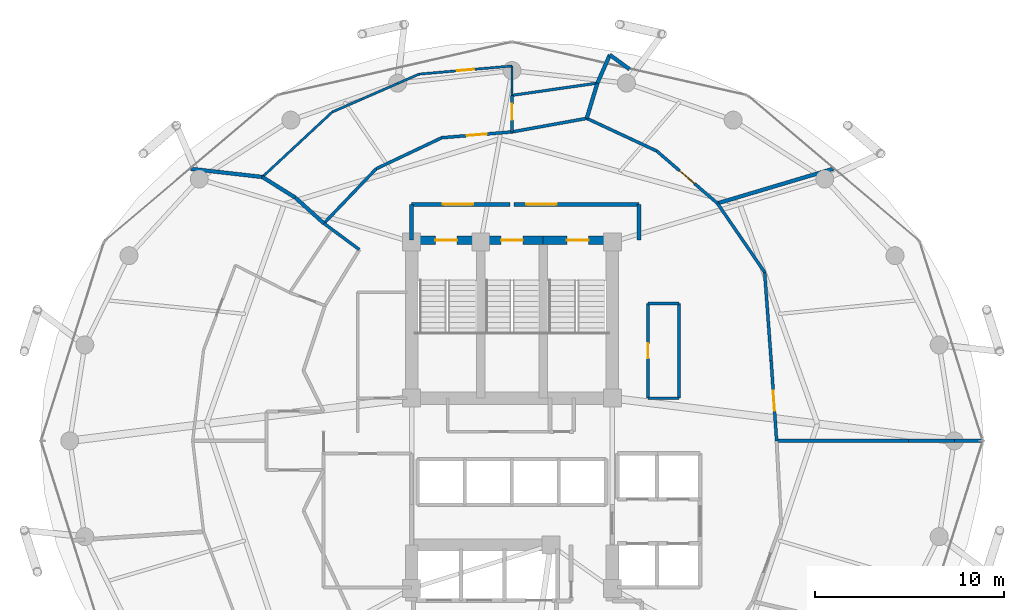
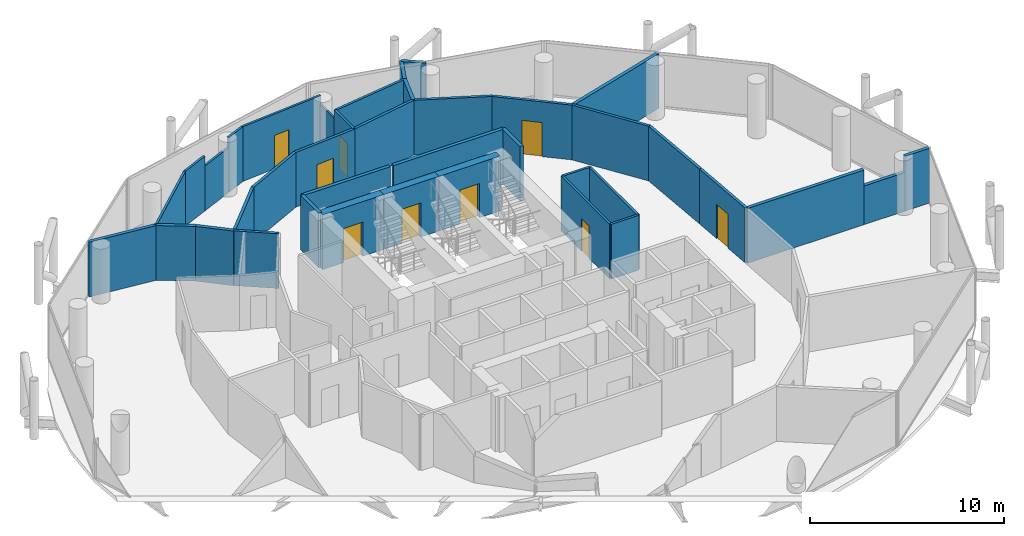
# One storey, part 24 of 27: 39 walls, 11 doors, 11 openings.
"""IFC4 building model written with IfcOpenShell, lengths in metres."""

from ifc_helpers import new_model, si_unit, direction, frame, frame_2d, origin, place, context, subcontext, project, spatial, rectangle, extrude, material, layer, layer_set, type_object, element, fill, save


model = new_model("IFC4")

# Units and contexts
model_context = context("Model", 3, precision=1e-05, world=origin(), true_north=direction((0.0, 1.0)))
body_context = subcontext(model_context, "Body", "Model", "MODEL_VIEW")
ifc_project = project(units=[si_unit("LENGTHUNIT", "METRE"), si_unit("AREAUNIT", "SQUARE_METRE"), si_unit("VOLUMEUNIT", "CUBIC_METRE"), si_unit("PLANEANGLEUNIT", "RADIAN"), si_unit("MASSUNIT", "GRAM", prefix="KILO")], contexts=[model_context])

# Site, building, storey
site_placement = place(None, origin())
site = spatial("IfcSite", under=ifc_project, at=site_placement, CompositionType="ELEMENT")
building_placement = place(site_placement, origin())
building = spatial("IfcBuilding", under=site, at=building_placement, Name="Nuhasar Tower", CompositionType="ELEMENT")
storey_placement = place(building_placement, frame((0.0, 0.0, 158.949951171875)))
storey = spatial("IfcBuildingStorey", under=building, at=storey_placement, Name="L38", CompositionType="ELEMENT", Elevation=158.949951171875)

# Wall, opening, door
ifc_material_1 = material(Name="Concrete C50/60", Category="concrete")
ifc_layer_1 = layer(ifc_material_1, 0.449951171875)
ifc_layer_set_1 = layer_set([ifc_layer_1], Name="Concrete C50/60")
wall_type_1 = type_object("IfcWallType", Name="WL-CORE-450", PredefinedType="SHEAR", material=ifc_layer_set_1)
wall_1_placement = place(storey_placement, frame((37.35009765625, 37.39990234375, 0.0), z_axis=(0.0, 0.0, 1.0), x_axis=(-1.0, 0.0, 0.0)))
wall_1 = element("IfcWall", 1, at=wall_1_placement, inside=storey, type_object=wall_type_1, Name="L38 Stairwell Shear Wall ST01-N", PredefinedType="SHEAR", context=body_context, shape_type="SweptSolid", body=[
    extrude(rectangle(XDim=3.650146484375, YDim=0.449951171875, at=frame_2d((1.8251953125, 0.0))), origin(), (0.0, 0.0, 1.0), 3.449951171875),
])
opening_1_placement = place(wall_1_placement, frame((1.25, 0.0, 0.0)))
opening_1 = element("IfcOpeningElement", 2, at=opening_1_placement, cuts=wall_1, Name="Opening DS-01", PredefinedType="OPENING", context=body_context, shape_type="SweptSolid", body=[
    extrude(rectangle(XDim=1.14990234375, YDim=2.14990234375, at=frame_2d((0.574951171875, 1.074951171875))), frame((0.0, 0.23486328125, 0.0), z_axis=(0.0, -1.0, 0.0), x_axis=(1.0, 0.0, 0.0)), (0.0, 0.0, 1.0), 0.469970703125),
])
ifc_material_2 = material(Name="Steel S355", Category="steel")
door_type_1 = type_object("IfcDoorType", Name="DR-STAIR-FD120-1150", OperationType="NOTDEFINED", PredefinedType="DOOR", material=ifc_material_2)
door_1_placement = place(opening_1_placement, origin())
door_1 = element("IfcDoor", 3, at=door_1_placement, inside=storey, type_object=door_type_1, Name="L38 Exit Stair ST-01 Door", OperationType="SINGLE_SWING_RIGHT", OverallHeight=2.14990234375, OverallWidth=1.14990234375, PredefinedType="DOOR", context=body_context, shape_type="SweptSolid", body=[
    extrude(rectangle(XDim=1.14990234375, YDim=2.14990234375, at=frame_2d((0.574951171875, 1.074951171875))), frame((0.0, 0.02490234375, 0.0), z_axis=(0.0, -1.0, 0.0), x_axis=(1.0, 0.0, 0.0)), (0.0, 0.0, 1.0), 0.050048828125),
])
fill(opening_1, door_1)

wall_2_placement = place(storey_placement, frame((40.64990234375, 37.39990234375, 0.0), z_axis=(0.0, 0.0, 1.0), x_axis=(-1.0, 0.0, 0.0)))
wall_2 = element("IfcWall", 4, at=wall_2_placement, inside=storey, type_object=wall_type_1, Name="L38 Stairwell Shear Wall ST03-N", PredefinedType="SHEAR", context=body_context, shape_type="SweptSolid", body=[
    extrude(rectangle(XDim=3.2998046875, YDim=0.449951171875, at=frame_2d((1.64990234375, 0.0))), origin(), (0.0, 0.0, 1.0), 3.449951171875),
])
opening_2_placement = place(wall_2_placement, frame((1.074951171875, 0.0, 0.0)))
opening_2 = element("IfcOpeningElement", 5, at=opening_2_placement, cuts=wall_2, Name="Opening DS-01", PredefinedType="OPENING", context=body_context, shape_type="SweptSolid", body=[
    extrude(rectangle(XDim=1.14990234375, YDim=2.14990234375, at=frame_2d((0.574951171875, 1.074951171875))), frame((0.0, 0.23486328125, 0.0), z_axis=(0.0, -1.0, 0.0), x_axis=(1.0, 0.0, 0.0)), (0.0, 0.0, 1.0), 0.469970703125),
])
door_2_placement = place(opening_2_placement, origin())
door_2 = element("IfcDoor", 6, at=door_2_placement, inside=storey, type_object=door_type_1, Name="L38 Exit Stair ST-03 Door", OperationType="SINGLE_SWING_RIGHT", OverallHeight=2.14990234375, OverallWidth=1.14990234375, PredefinedType="DOOR", context=body_context, shape_type="SweptSolid", body=[
    extrude(rectangle(XDim=1.14990234375, YDim=2.14990234375, at=frame_2d((0.574951171875, 1.074951171875))), frame((0.0, 0.02490234375, 0.0), z_axis=(0.0, -1.0, 0.0), x_axis=(1.0, 0.0, 0.0)), (0.0, 0.0, 1.0), 0.050048828125),
])
fill(opening_2, door_2)

wall_3_placement = place(storey_placement, frame((44.300048828125, 37.39990234375, 0.0), z_axis=(0.0, 0.0, 1.0), x_axis=(-1.0, 0.0, 0.0)))
wall_3 = element("IfcWall", 7, at=wall_3_placement, inside=storey, type_object=wall_type_1, Name="L38 Stairwell Shear Wall ST02-N", PredefinedType="SHEAR", context=body_context, shape_type="SweptSolid", body=[
    extrude(rectangle(XDim=3.650146484375, YDim=0.449951171875, at=frame_2d((1.8251953125, 0.0))), origin(), (0.0, 0.0, 1.0), 3.449951171875),
])
opening_3_placement = place(wall_3_placement, frame((1.25, 0.0, 0.0)))
opening_3 = element("IfcOpeningElement", 8, at=opening_3_placement, cuts=wall_3, Name="Opening DS-01", PredefinedType="OPENING", context=body_context, shape_type="SweptSolid", body=[
    extrude(rectangle(XDim=1.14990234375, YDim=2.14990234375, at=frame_2d((0.574951171875, 1.074951171875))), frame((0.0, 0.23486328125, 0.0), z_axis=(0.0, -1.0, 0.0), x_axis=(1.0, 0.0, 0.0)), (0.0, 0.0, 1.0), 0.469970703125),
])
door_3_placement = place(opening_3_placement, origin())
door_3 = element("IfcDoor", 9, at=door_3_placement, inside=storey, type_object=door_type_1, Name="L38 Exit Stair ST-02 Door", OperationType="SINGLE_SWING_LEFT", OverallHeight=2.14990234375, OverallWidth=1.14990234375, PredefinedType="DOOR", context=body_context, shape_type="SweptSolid", body=[
    extrude(rectangle(XDim=1.14990234375, YDim=2.14990234375, at=frame_2d((0.574951171875, 1.074951171875))), frame((0.0, 0.02490234375, 0.0), z_axis=(0.0, -1.0, 0.0), x_axis=(1.0, 0.0, 0.0)), (0.0, 0.0, 1.0), 0.050048828125),
])
fill(opening_3, door_3)

ifc_material_3 = material(Name="Gypsum Board", Category="gypsum")
ifc_layer_2 = layer(ifc_material_3, 0.159912109375)
ifc_layer_set_2 = layer_set([ifc_layer_2], Name="Gypsum Board")
wall_type_2 = type_object("IfcWallType", Name="WL-CORR-160", PredefinedType="PARTITIONING", material=ifc_layer_set_2)
wall_4_placement = place(storey_placement, frame((52.68310546875, 31.0380859375, 0.0), z_axis=(0.0, 0.0, 1.0), x_axis=(0.067533698234, -0.997716993743, 0.0)))
wall_4 = element("IfcWall", 10, at=wall_4_placement, inside=storey, type_object=wall_type_2, Name="L38 Interior Partition CORR-00", PredefinedType="PARTITIONING", context=body_context, shape_type="SweptSolid", body=[
    extrude(rectangle(XDim=4.247802734375, YDim=0.159912109375, at=frame_2d((2.1240234375, 0.0))), origin(), (0.0, 0.0, 1.0), 3.449951171875),
])
opening_4_placement = place(wall_4_placement, frame((1.59912109375, 0.0, 0.0)))
opening_4 = element("IfcOpeningElement", 11, at=opening_4_placement, cuts=wall_4, Name="Opening DU-01", PredefinedType="OPENING", context=body_context, shape_type="SweptSolid", body=[
    extrude(rectangle(XDim=1.050048828125, YDim=2.14990234375, at=frame_2d((0.52490234375, 1.074951171875))), frame((0.0, 0.08984375, 0.0), z_axis=(0.0, -1.0, 0.0), x_axis=(1.0, 0.0, 0.0)), (0.0, 0.0, 1.0), 0.179931640625),
])
ifc_material_4 = material(Name="Timber Oak", Category="wood")
door_type_2 = type_object("IfcDoorType", Name="DR-SUITE-FD60-1050", OperationType="NOTDEFINED", PredefinedType="DOOR", material=ifc_material_4)
door_4_placement = place(opening_4_placement, origin())
door_4 = element("IfcDoor", 12, at=door_4_placement, inside=storey, type_object=door_type_2, Name="L38 Sky Yoga & Pilates Studio Entrance Door", OperationType="SINGLE_SWING_LEFT", OverallHeight=2.14990234375, OverallWidth=1.050048828125, PredefinedType="DOOR", context=body_context, shape_type="SweptSolid", body=[
    extrude(rectangle(XDim=1.050048828125, YDim=2.14990234375, at=frame_2d((0.52490234375, 1.074951171875))), frame((0.0, 0.02490234375, 0.0), z_axis=(0.0, -1.0, 0.0), x_axis=(1.0, 0.0, 0.0)), (0.0, 0.0, 1.0), 0.050048828125),
])
fill(opening_4, door_4)

# Walls
wall_5_placement = place(storey_placement, frame((52.68310546875, 31.0380859375, 0.0), z_axis=(0.0, 0.0, 1.0), x_axis=(-0.073833218119, 0.997270603148, 0.0)))
element("IfcWall", 13, at=wall_5_placement, inside=storey, type_object=wall_type_2, Name="L38 Interior Partition CORR-02", PredefinedType="PARTITIONING", context=body_context, shape_type="SweptSolid", body=[
    extrude(rectangle(XDim=4.675537109375, YDim=0.159912109375, at=frame_2d((2.337890625, 0.0))), origin(), (0.0, 0.0, 1.0), 3.449951171875),
])
wall_6_placement = place(storey_placement, frame((52.337890625, 35.700927734375, 0.0), z_axis=(0.0, 0.0, 1.0), x_axis=(-0.565072996938, 0.825040913005, 0.0)))
element("IfcWall", 14, at=wall_6_placement, inside=storey, type_object=wall_type_2, Name="L38 Interior Partition CORR-04", PredefinedType="PARTITIONING", context=body_context, shape_type="SweptSolid", body=[
    extrude(rectangle(XDim=4.408203125, YDim=0.159912109375, at=frame_2d((2.2041015625, 0.0))), origin(), (0.0, 0.0, 1.0), 3.449951171875),
])

# Wall, opening, door
wall_7_placement = place(storey_placement, frame((46.64208984375, 42.10107421875, 0.0), z_axis=(0.0, 0.0, 1.0), x_axis=(0.757363717031, -0.65299326193, 0.0)))
wall_7 = element("IfcWall", 15, at=wall_7_placement, inside=storey, type_object=wall_type_2, Name="L38 Interior Partition CORR-06", PredefinedType="PARTITIONING", context=body_context, shape_type="SweptSolid", body=[
    extrude(rectangle(XDim=4.2314453125, YDim=0.159912109375, at=frame_2d((2.11572265625, 0.0))), origin(), (0.0, 0.0, 1.0), 3.449951171875),
])
opening_5_placement = place(wall_7_placement, frame((1.591064453125, 0.0, 0.0)))
opening_5 = element("IfcOpeningElement", 16, at=opening_5_placement, cuts=wall_7, Name="Opening DU-01", PredefinedType="OPENING", context=body_context, shape_type="SweptSolid", body=[
    extrude(rectangle(XDim=1.050048828125, YDim=2.14990234375, at=frame_2d((0.52490234375, 1.074951171875))), frame((0.0, 0.08984375, 0.0), z_axis=(0.0, -1.0, 0.0), x_axis=(1.0, 0.0, 0.0)), (0.0, 0.0, 1.0), 0.179931640625),
])
door_5_placement = place(opening_5_placement, origin())
door_5 = element("IfcDoor", 17, at=door_5_placement, inside=storey, type_object=door_type_2, Name="L38 Botanical Juice Pantry Entrance Door", OperationType="SINGLE_SWING_RIGHT", OverallHeight=2.14990234375, OverallWidth=1.050048828125, PredefinedType="DOOR", context=body_context, shape_type="SweptSolid", body=[
    extrude(rectangle(XDim=1.050048828125, YDim=2.14990234375, at=frame_2d((0.52490234375, 1.074951171875))), frame((0.0, 0.02490234375, 0.0), z_axis=(0.0, -1.0, 0.0), x_axis=(1.0, 0.0, 0.0)), (0.0, 0.0, 1.0), 0.050048828125),
])
fill(opening_5, door_5)

# Walls
wall_8_placement = place(storey_placement, frame((46.64208984375, 42.10107421875, 0.0), z_axis=(0.0, 0.0, 1.0), x_axis=(-0.906271822744, 0.422695378849, 0.0)))
element("IfcWall", 18, at=wall_8_placement, inside=storey, type_object=wall_type_2, Name="L38 Interior Partition CORR-08", PredefinedType="PARTITIONING", context=body_context, shape_type="SweptSolid", body=[
    extrude(rectangle(XDim=4.078369140625, YDim=0.159912109375, at=frame_2d((2.0390625, 0.0))), origin(), (0.0, 0.0, 1.0), 3.449951171875),
])
wall_9_placement = place(storey_placement, frame((42.946044921875, 43.824951171875, 0.0), z_axis=(0.0, 0.0, 1.0), x_axis=(-0.983984646252, -0.178253235428, 0.0)))
element("IfcWall", 19, at=wall_9_placement, inside=storey, type_object=wall_type_2, Name="L38 Interior Partition CORR-10", PredefinedType="PARTITIONING", context=body_context, shape_type="SweptSolid", body=[
    extrude(rectangle(XDim=4.01025390625, YDim=0.159912109375, at=frame_2d((2.005126953125, 0.0))), origin(), (0.0, 0.0, 1.0), 3.449951171875),
])

# Wall, opening, door
wall_10_placement = place(storey_placement, frame((35.291015625, 42.802001953125, 0.0), z_axis=(0.0, 0.0, 1.0), x_axis=(0.996567439433, 0.082784893929, 0.0)))
wall_10 = element("IfcWall", 20, at=wall_10_placement, inside=storey, type_object=wall_type_2, Name="L38 Interior Partition CORR-12", PredefinedType="PARTITIONING", context=body_context, shape_type="SweptSolid", body=[
    extrude(rectangle(XDim=3.7216796875, YDim=0.159912109375, at=frame_2d((1.86083984375, 0.0))), origin(), (0.0, 0.0, 1.0), 3.449951171875),
])
opening_6_placement = place(wall_10_placement, frame((1.3359375, 0.0, 0.0)))
opening_6 = element("IfcOpeningElement", 21, at=opening_6_placement, cuts=wall_10, Name="Opening DU-01", PredefinedType="OPENING", context=body_context, shape_type="SweptSolid", body=[
    extrude(rectangle(XDim=1.050048828125, YDim=2.14990234375, at=frame_2d((0.52490234375, 1.074951171875))), frame((0.0, 0.08984375, 0.0), z_axis=(0.0, -1.0, 0.0), x_axis=(1.0, 0.0, 0.0)), (0.0, 0.0, 1.0), 0.179931640625),
])
door_6_placement = place(opening_6_placement, origin())
door_6 = element("IfcDoor", 22, at=door_6_placement, inside=storey, type_object=door_type_2, Name="L38 Thermal Sanctuary Suite 02 Entrance Door", OperationType="SINGLE_SWING_LEFT", OverallHeight=2.14990234375, OverallWidth=1.050048828125, PredefinedType="DOOR", context=body_context, shape_type="SweptSolid", body=[
    extrude(rectangle(XDim=1.050048828125, YDim=2.14990234375, at=frame_2d((0.52490234375, 1.074951171875))), frame((0.0, 0.02490234375, 0.0), z_axis=(0.0, -1.0, 0.0), x_axis=(1.0, 0.0, 0.0)), (0.0, 0.0, 1.0), 0.050048828125),
])
fill(opening_6, door_6)

# Walls
wall_11_placement = place(storey_placement, frame((35.291015625, 42.802001953125, 0.0), z_axis=(0.0, 0.0, 1.0), x_axis=(-0.903715790708, -0.42813288781, 0.0)))
element("IfcWall", 23, at=wall_11_placement, inside=storey, type_object=wall_type_2, Name="L38 Interior Partition CORR-14", PredefinedType="PARTITIONING", context=body_context, shape_type="SweptSolid", body=[
    extrude(rectangle(XDim=3.833251953125, YDim=0.159912109375, at=frame_2d((1.91650390625, 0.0))), origin(), (0.0, 0.0, 1.0), 3.449951171875),
])
wall_12_placement = place(storey_placement, frame((31.826904296875, 41.160888671875, 0.0), z_axis=(0.0, 0.0, 1.0), x_axis=(-0.691511696296, -0.722365263482, 0.0)))
element("IfcWall", 24, at=wall_12_placement, inside=storey, type_object=wall_type_2, Name="L38 Interior Partition CORR-16", PredefinedType="PARTITIONING", context=body_context, shape_type="SweptSolid", body=[
    extrude(rectangle(XDim=3.988037109375, YDim=0.159912109375, at=frame_2d((1.994140625, 0.0))), origin(), (0.0, 0.0, 1.0), 3.449951171875),
])
wall_13_placement = place(storey_placement, frame((30.93896484375, 36.89697265625, 0.0), z_axis=(0.0, 0.0, 1.0), x_axis=(-0.803975392498, 0.594662566719, 0.0)))
element("IfcWall", 25, at=wall_13_placement, inside=storey, type_object=wall_type_2, Name="L38 Interior Partition HRAD-18-IN", PredefinedType="PARTITIONING", context=body_context, shape_type="SweptSolid", body=[
    extrude(rectangle(XDim=2.32568359375, YDim=0.159912109375, at=frame_2d((1.162841796875, 0.0))), origin(), (0.0, 0.0, 1.0), 3.449951171875),
])
ifc_material_5 = material(Name="Concrete C45/55", Category="concrete")
ifc_layer_3 = layer(ifc_material_5, 0.199951171875)
ifc_layer_set_3 = layer_set([ifc_layer_3], Name="Concrete C45/55")
wall_type_3 = type_object("IfcWallType", Name="WL-LOBBY-200", PredefinedType="SOLIDWALL", material=ifc_layer_set_3)
for number, where, z_axis, x_axis, name in (
    (26, (33.699951171875, 37.39990234375, 0.0), (0.0, 0.0, 1.0), (0.0, 1.0, 0.0), "L38 Interior Partition NSL-W"),
    (27, (45.699951171875, 37.39990234375, 0.0), (0.0, 0.0, 1.0), (0.0, 1.0, 0.0), "L38 Interior Partition NSL-E"),
):
    element("IfcWall", number, at=place(storey_placement, frame(where, z_axis=z_axis, x_axis=x_axis)), inside=storey, type_object=wall_type_3, Name=name, PredefinedType="SOLIDWALL", context=body_context, shape_type="SweptSolid", body=[
        extrude(rectangle(XDim=1.880126953125, YDim=0.199951171875, at=frame_2d((0.93994140625, 0.0))), origin(), (0.0, 0.0, 1.0), 3.449951171875),
    ])

# Wall, opening, door
wall_14_placement = place(storey_placement, frame((38.89990234375, 39.280029296875, 0.0), z_axis=(0.0, 0.0, 1.0), x_axis=(-1.0, 0.0, 0.0)))
wall_14 = element("IfcWall", 28, at=wall_14_placement, inside=storey, type_object=wall_type_3, Name="L38 Interior Partition NSL-N1", PredefinedType="SOLIDWALL", context=body_context, shape_type="SweptSolid", body=[
    extrude(rectangle(XDim=5.199951171875, YDim=0.199951171875, at=frame_2d((2.60009765625, 0.0))), origin(), (0.0, 0.0, 1.0), 3.449951171875),
])
opening_7_placement = place(wall_14_placement, frame((1.949951171875, 0.0, 0.0)))
opening_7 = element("IfcOpeningElement", 29, at=opening_7_placement, cuts=wall_14, Name="Opening DC-01", PredefinedType="OPENING", context=body_context, shape_type="SweptSolid", body=[
    extrude(rectangle(XDim=1.60009765625, YDim=2.199951171875, at=frame_2d((0.800048828125, 1.10009765625))), frame((0.0, 0.10986328125, 0.0), z_axis=(0.0, -1.0, 0.0), x_axis=(1.0, 0.0, 0.0)), (0.0, 0.0, 1.0), 0.219970703125),
])
door_type_3 = type_object("IfcDoorType", Name="DR-CORR-FD60-1600", OperationType="DOUBLE_DOOR_SINGLE_SWING", PredefinedType="DOOR", material=ifc_material_2)
door_7_placement = place(opening_7_placement, origin())
door_7 = element("IfcDoor", 30, at=door_7_placement, inside=storey, type_object=door_type_3, Name="L38 North Stair Lobby West Door", OperationType="DOUBLE_DOOR_SINGLE_SWING", OverallHeight=2.199951171875, OverallWidth=1.60009765625, PredefinedType="DOOR", context=body_context, shape_type="SweptSolid", body=[
    extrude(rectangle(XDim=1.60009765625, YDim=2.199951171875, at=frame_2d((0.800048828125, 1.10009765625))), frame((0.0, 0.02490234375, 0.0), z_axis=(0.0, -1.0, 0.0), x_axis=(1.0, 0.0, 0.0)), (0.0, 0.0, 1.0), 0.050048828125),
])
fill(opening_7, door_7)

wall_15_placement = place(storey_placement, frame((45.699951171875, 39.280029296875, 0.0), z_axis=(0.0, 0.0, 1.0), x_axis=(-1.0, 0.0, 0.0)))
wall_15 = element("IfcWall", 31, at=wall_15_placement, inside=storey, type_object=wall_type_3, Name="L38 Interior Partition NSL-N2", PredefinedType="SOLIDWALL", context=body_context, shape_type="SweptSolid", body=[
    extrude(rectangle(XDim=6.599853515625, YDim=0.199951171875, at=frame_2d((3.2998046875, 0.0))), origin(), (0.0, 0.0, 1.0), 3.449951171875),
])
opening_8_placement = place(wall_15_placement, frame((4.35009765625, 0.0, 0.0)))
opening_8 = element("IfcOpeningElement", 32, at=opening_8_placement, cuts=wall_15, Name="Opening DC-01", PredefinedType="OPENING", context=body_context, shape_type="SweptSolid", body=[
    extrude(rectangle(XDim=1.60009765625, YDim=2.199951171875, at=frame_2d((0.800048828125, 1.10009765625))), frame((0.0, 0.10986328125, 0.0), z_axis=(0.0, -1.0, 0.0), x_axis=(1.0, 0.0, 0.0)), (0.0, 0.0, 1.0), 0.219970703125),
])
door_8_placement = place(opening_8_placement, origin())
door_8 = element("IfcDoor", 33, at=door_8_placement, inside=storey, type_object=door_type_3, Name="L38 North Stair Lobby East Door", OperationType="DOUBLE_DOOR_SINGLE_SWING", OverallHeight=2.199951171875, OverallWidth=1.60009765625, PredefinedType="DOOR", context=body_context, shape_type="SweptSolid", body=[
    extrude(rectangle(XDim=1.60009765625, YDim=2.199951171875, at=frame_2d((0.800048828125, 1.10009765625))), frame((0.0, 0.02490234375, 0.0), z_axis=(0.0, -1.0, 0.0), x_axis=(1.0, 0.0, 0.0)), (0.0, 0.0, 1.0), 0.050048828125),
])
fill(opening_8, door_8)

# Wall
ifc_layer_4 = layer(ifc_material_3, 0.125)
ifc_layer_set_4 = layer_set([ifc_layer_4], Name="Gypsum Board")
wall_type_4 = type_object("IfcWallType", Name="WL-PART-125", PredefinedType="PARTITIONING", material=ifc_layer_set_4)
wall_16_placement = place(storey_placement, frame((39.0, 45.0400390625, 0.0), z_axis=(0.0, 0.0, 1.0), x_axis=(0.0, 1.0, 0.0)))
element("IfcWall", 34, at=wall_16_placement, inside=storey, type_object=wall_type_4, Name="L38 Interior Partition HBS-06", PredefinedType="PARTITIONING", context=body_context, shape_type="SweptSolid", body=[
    extrude(rectangle(XDim=1.550048828125, YDim=0.125, at=frame_2d((0.77490234375, 0.0))), origin(), (0.0, 0.0, 1.0), 2.9150390625),
])

# Wall, opening, door
wall_17_placement = place(storey_placement, frame((34.092041015625, 46.159912109375, 0.0), z_axis=(0.0, 0.0, 1.0), x_axis=(0.996180851402, 0.087313866596, 0.0)))
wall_17 = element("IfcWall", 35, at=wall_17_placement, inside=storey, type_object=wall_type_4, Name="L38 Interior Partition HSAL-06-12", PredefinedType="PARTITIONING", context=body_context, shape_type="SweptSolid", body=[
    extrude(rectangle(XDim=4.9267578125, YDim=0.125, at=frame_2d((2.46337890625, 0.0))), origin(), (0.0, 0.0, 1.0), 3.449951171875),
])
opening_9_placement = place(wall_17_placement, frame((2.012939453125, 0.0, 0.0)))
opening_9 = element("IfcOpeningElement", 36, at=opening_9_placement, cuts=wall_17, Name="Opening DR-01", PredefinedType="OPENING", context=body_context, shape_type="SweptSolid", body=[
    extrude(rectangle(XDim=0.89990234375, YDim=2.10009765625, at=frame_2d((0.449951171875, 1.050048828125))), frame((0.0, 0.072509765625, 0.0), z_axis=(0.0, -1.0, 0.0), x_axis=(1.0, 0.0, 0.0)), (0.0, 0.0, 1.0), 0.14501953125),
])
door_type_4 = type_object("IfcDoorType", Name="DR-ROOM-900", OperationType="NOTDEFINED", PredefinedType="DOOR", material=ifc_material_4)
door_9_placement = place(opening_9_placement, origin())
door_9 = element("IfcDoor", 37, at=door_9_placement, inside=storey, type_object=door_type_4, Name="L38 Thermal Sanctuary Suite 02 Bedroom Door", OperationType="SINGLE_SWING_RIGHT", OverallHeight=2.10009765625, OverallWidth=0.89990234375, PredefinedType="DOOR", context=body_context, shape_type="SweptSolid", body=[
    extrude(rectangle(XDim=0.89990234375, YDim=2.10009765625, at=frame_2d((0.449951171875, 1.050048828125))), frame((0.0, 0.02490234375, 0.0), z_axis=(0.0, -1.0, 0.0), x_axis=(1.0, 0.0, 0.0)), (0.0, 0.0, 1.0), 0.050048828125),
])
fill(opening_9, door_9)

# Walls
wall_18_placement = place(storey_placement, frame((34.092041015625, 46.159912109375, 0.0), z_axis=(0.0, 0.0, 1.0), x_axis=(-0.916522144476, -0.399983948034, 0.0)))
element("IfcWall", 38, at=wall_18_placement, inside=storey, type_object=wall_type_4, Name="L38 Interior Partition HSAL-06-14", PredefinedType="PARTITIONING", context=body_context, shape_type="SweptSolid", body=[
    extrude(rectangle(XDim=1.2275390625, YDim=0.125, at=frame_2d((0.61376953125, 0.0))), origin(), (0.0, 0.0, 1.0), 3.449951171875),
])
wall_19_placement = place(storey_placement, frame((32.967041015625, 45.6689453125, 0.0), z_axis=(0.0, 0.0, 1.0), x_axis=(-0.916639359056, -0.399715255438, 0.0)))
element("IfcWall", 39, at=wall_19_placement, inside=storey, type_object=wall_type_4, Name="L38 Interior Partition HSAL-06-14", PredefinedType="PARTITIONING", context=body_context, shape_type="SweptSolid", body=[
    extrude(rectangle(XDim=2.06640625, YDim=0.125, at=frame_2d((1.033203125, 0.0))), origin(), (0.0, 0.0, 1.0), 2.830078125),
])
wall_20_placement = place(storey_placement, frame((31.072998046875, 44.843017578125, 0.0), z_axis=(0.0, 0.0, 1.0), x_axis=(-0.916624498979, -0.399749331296, 0.0)))
element("IfcWall", 40, at=wall_20_placement, inside=storey, type_object=wall_type_4, Name="L38 Interior Partition HSAL-06-14", PredefinedType="PARTITIONING", context=body_context, shape_type="SweptSolid", body=[
    extrude(rectangle(XDim=1.700927734375, YDim=0.125, at=frame_2d((0.8505859375, 0.0))), origin(), (0.0, 0.0, 1.0), 3.449951171875),
])
wall_21_placement = place(storey_placement, frame((29.513916015625, 44.1630859375, 0.0), z_axis=(0.0, 0.0, 1.0), x_axis=(-0.73247967819, -0.68078889609, 0.0)))
element("IfcWall", 41, at=wall_21_placement, inside=storey, type_object=wall_type_4, Name="L38 Interior Partition HSAL-06-16", PredefinedType="PARTITIONING", context=body_context, shape_type="SweptSolid", body=[
    extrude(rectangle(XDim=5.044189453125, YDim=0.125, at=frame_2d((2.52197265625, 0.0))), origin(), (0.0, 0.0, 1.0), 3.449951171875),
])
ifc_material_6 = material(Name="Concrete C40/50 precast", Category="concrete")
ifc_layer_5 = layer(ifc_material_6, 0.199951171875)
ifc_layer_set_5 = layer_set([ifc_layer_5], Name="Concrete C40/50 precast")
wall_type_5 = type_object("IfcWallType", Name="WL-UNIT-200", PredefinedType="PARTITIONING", material=ifc_layer_set_5)
wall_22_placement = place(storey_placement, frame((29.069091796875, 38.280029296875, 0.0), z_axis=(0.0, 0.0, 1.0), x_axis=(-0.743085021135, 0.669197019842, 0.0)))
element("IfcWall", 42, at=wall_22_placement, inside=storey, type_object=wall_type_5, Name="L38 Interior Partition HRAD-18-OUT-S1", PredefinedType="PARTITIONING", context=body_context, shape_type="SweptSolid", body=[
    extrude(rectangle(XDim=2.031982421875, YDim=0.199951171875, at=frame_2d((1.01611328125, 0.0))), origin(), (0.0, 0.0, 1.0), 3.449951171875),
])
wall_23_placement = place(storey_placement, frame((27.55908203125, 39.639892578125, 0.0), z_axis=(0.0, 0.0, 1.0), x_axis=(-0.847643984813, 0.530565429529, 0.0)))
element("IfcWall", 43, at=wall_23_placement, inside=storey, type_object=wall_type_5, Name="L38 Interior Partition HRAD-18-OUT-S2", PredefinedType="PARTITIONING", context=body_context, shape_type="SweptSolid", body=[
    extrude(rectangle(XDim=2.052734375, YDim=0.199951171875, at=frame_2d((1.0263671875, 0.0))), origin(), (0.0, 0.0, 1.0), 3.449951171875),
])
wall_24_placement = place(storey_placement, frame((25.819091796875, 40.72900390625, 0.0), z_axis=(0.0, 0.0, 1.0), x_axis=(-0.993548609686, 0.113407055299, 0.0)))
element("IfcWall", 44, at=wall_24_placement, inside=storey, type_object=wall_type_5, Name="L38 Interior Partition HRAD-18-OUT-S3", PredefinedType="PARTITIONING", context=body_context, shape_type="SweptSolid", body=[
    extrude(rectangle(XDim=3.799560546875, YDim=0.199951171875, at=frame_2d((1.89990234375, 0.0))), origin(), (0.0, 0.0, 1.0), 3.449951171875),
])
wall_25_placement = place(storey_placement, frame((52.969970703125, 26.800048828125, 0.0), z_axis=(0.0, 0.0, 1.0), x_axis=(1.0, 0.0, 0.0)))
element("IfcWall", 45, at=wall_25_placement, inside=storey, type_object=wall_type_5, Name="L38 Interior Partition HRAD-00", PredefinedType="PARTITIONING", context=body_context, shape_type="SweptSolid", body=[
    extrude(rectangle(XDim=6.95703125, YDim=0.199951171875, at=frame_2d((3.478515625, 0.0))), origin(), (0.0, 0.0, 1.0), 3.449951171875),
])
wall_26_placement = place(storey_placement, frame((59.927001953125, 26.800048828125, 0.0), z_axis=(0.0, 0.0, 1.0), x_axis=(1.0, 0.0, 0.0)))
element("IfcWall", 46, at=wall_26_placement, inside=storey, type_object=wall_type_5, Name="L38 Interior Partition HRAD-00", PredefinedType="PARTITIONING", context=body_context, shape_type="SweptSolid", body=[
    extrude(rectangle(XDim=2.43505859375, YDim=0.199951171875, at=frame_2d((1.217529296875, 0.0))), origin(), (0.0, 0.0, 1.0), 2.43994140625),
])
wall_27_placement = place(storey_placement, frame((62.362060546875, 26.800048828125, 0.0), z_axis=(0.0, 0.0, 1.0), x_axis=(1.0, 0.0, 0.0)))
element("IfcWall", 47, at=wall_27_placement, inside=storey, type_object=wall_type_5, Name="L38 Interior Partition HRAD-00", PredefinedType="PARTITIONING", context=body_context, shape_type="SweptSolid", body=[
    extrude(rectangle(XDim=1.462890625, YDim=0.199951171875, at=frame_2d((0.7314453125, 0.0))), origin(), (0.0, 0.0, 1.0), 3.449951171875),
])
wall_28_placement = place(storey_placement, frame((49.846923828125, 39.337890625, 0.0), z_axis=(0.0, 0.0, 1.0), x_axis=(0.958287760773, 0.285805121634, 0.0)))
element("IfcWall", 48, at=wall_28_placement, inside=storey, type_object=wall_type_5, Name="L38 Interior Partition HRAD-06", PredefinedType="PARTITIONING", context=body_context, shape_type="SweptSolid", body=[
    extrude(rectangle(XDim=6.375, YDim=0.199951171875, at=frame_2d((3.1875, 0.0))), origin(), (0.0, 0.0, 1.0), 3.449951171875),
])
wall_29_placement = place(storey_placement, frame((42.946044921875, 43.824951171875, 0.0), z_axis=(0.0, 0.0, 1.0), x_axis=(0.289087109565, 0.957302795924, 0.0)))
element("IfcWall", 49, at=wall_29_placement, inside=storey, type_object=wall_type_5, Name="L38 Interior Partition HRAD-10-S1", PredefinedType="PARTITIONING", context=body_context, shape_type="SweptSolid", body=[
    extrude(rectangle(XDim=1.944091796875, YDim=0.199951171875, at=frame_2d((0.97216796875, 0.0))), origin(), (0.0, 0.0, 1.0), 3.449951171875),
])
wall_30_placement = place(storey_placement, frame((43.508056640625, 45.68603515625, 0.0), z_axis=(0.0, 0.0, 1.0), x_axis=(0.40373241072, 0.914877117724, 0.0)))
element("IfcWall", 50, at=wall_30_placement, inside=storey, type_object=wall_type_5, Name="L38 Interior Partition HRAD-10-S2", PredefinedType="PARTITIONING", context=body_context, shape_type="SweptSolid", body=[
    extrude(rectangle(XDim=1.629638671875, YDim=0.199951171875, at=frame_2d((0.81494140625, 0.0))), origin(), (0.0, 0.0, 1.0), 3.449951171875),
])
wall_31_placement = place(storey_placement, frame((44.166015625, 47.177001953125, 0.0), z_axis=(0.0, 0.0, 1.0), x_axis=(0.807036931604, -0.590500966153, 0.0)))
element("IfcWall", 51, at=wall_31_placement, inside=storey, type_object=wall_type_5, Name="L38 Interior Partition HRAD-10-S3", PredefinedType="PARTITIONING", context=body_context, shape_type="SweptSolid", body=[
    extrude(rectangle(XDim=1.288818359375, YDim=0.199951171875, at=frame_2d((0.64453125, 0.0))), origin(), (0.0, 0.0, 1.0), 3.449951171875),
])

# Wall, opening, door
ifc_layer_6 = layer(ifc_material_6, 0.139892578125)
ifc_layer_set_6 = layer_set([ifc_layer_6], Name="Concrete C40/50 precast")
wall_type_6 = type_object("IfcWallType", Name="WL-WET-140", PredefinedType="PARTITIONING", material=ifc_layer_set_6)
wall_32_placement = place(storey_placement, frame((46.179931640625, 34.050048828125, 0.0), z_axis=(0.0, 0.0, 1.0), x_axis=(0.0, -1.0, 0.0)))
wall_32 = element("IfcWall", 52, at=wall_32_placement, inside=storey, type_object=wall_type_6, Name="L38 Interior Partition K3-NE-W", PredefinedType="PARTITIONING", context=body_context, shape_type="SweptSolid", body=[
    extrude(rectangle(XDim=5.0, YDim=0.139892578125, at=frame_2d((2.5, 0.0))), origin(), (0.0, 0.0, 1.0), 3.449951171875),
])
opening_10_placement = place(wall_32_placement, frame((2.10009765625, 0.0, 0.0)))
opening_10 = element("IfcOpeningElement", 53, at=opening_10_placement, cuts=wall_32, Name="Opening DM-01", PredefinedType="OPENING", context=body_context, shape_type="SweptSolid", body=[
    extrude(rectangle(XDim=0.800048828125, YDim=2.050048828125, at=frame_2d((0.39990234375, 1.02490234375))), frame((0.0, 0.080078125, 0.0), z_axis=(0.0, -1.0, 0.0), x_axis=(1.0, 0.0, 0.0)), (0.0, 0.0, 1.0), 0.159912109375),
])
door_type_5 = type_object("IfcDoorType", Name="DR-RISER-FD60-800", OperationType="NOTDEFINED", PredefinedType="DOOR", material=ifc_material_2)
door_10_placement = place(opening_10_placement, origin())
door_10 = element("IfcDoor", 54, at=door_10_placement, inside=storey, type_object=door_type_5, Name="L38 NE Switchgear Room Door", OperationType="SINGLE_SWING_RIGHT", OverallHeight=2.050048828125, OverallWidth=0.800048828125, PredefinedType="DOOR", context=body_context, shape_type="SweptSolid", body=[
    extrude(rectangle(XDim=0.800048828125, YDim=2.050048828125, at=frame_2d((0.39990234375, 1.02490234375))), frame((0.0, 0.02490234375, 0.0), z_axis=(0.0, -1.0, 0.0), x_axis=(1.0, 0.0, 0.0)), (0.0, 0.0, 1.0), 0.050048828125),
])
fill(opening_10, door_10)

# Walls
for number, where, z_axis, x_axis, name in (
    (55, (46.179931640625, 29.050048828125, 0.0), (0.0, 0.0, 1.0), (1.0, 0.0, 0.0), "L38 Interior Partition K3-NE-S"),
    (56, (46.179931640625, 34.050048828125, 0.0), (0.0, 0.0, 1.0), (1.0, 0.0, 0.0), "L38 Interior Partition K3-NE-N"),
):
    element("IfcWall", number, at=place(storey_placement, frame(where, z_axis=z_axis, x_axis=x_axis)), inside=storey, type_object=wall_type_6, Name=name, PredefinedType="PARTITIONING", context=body_context, shape_type="SweptSolid", body=[
        extrude(rectangle(XDim=1.64013671875, YDim=0.139892578125, at=frame_2d((0.820068359375, 0.0))), origin(), (0.0, 0.0, 1.0), 3.449951171875),
    ])
wall_33_placement = place(storey_placement, frame((47.820068359375, 29.050048828125, 0.0), z_axis=(0.0, 0.0, 1.0), x_axis=(0.0, 1.0, 0.0)))
element("IfcWall", 57, at=wall_33_placement, inside=storey, type_object=wall_type_6, Name="L38 Interior Partition K3-NE-E", PredefinedType="PARTITIONING", context=body_context, shape_type="SweptSolid", body=[
    extrude(rectangle(XDim=5.0, YDim=0.139892578125, at=frame_2d((2.5, 0.0))), origin(), (0.0, 0.0, 1.0), 3.449951171875),
])

# Wall, opening, door
wall_34_placement = place(storey_placement, frame((39.0, 43.110107421875, 0.0), z_axis=(0.0, 0.0, 1.0), x_axis=(0.0, 1.0, 0.0)))
wall_34 = element("IfcWall", 58, at=wall_34_placement, inside=storey, type_object=wall_type_6, Name="L38 Interior Partition HBW-06", PredefinedType="PARTITIONING", context=body_context, shape_type="SweptSolid", body=[
    extrude(rectangle(XDim=1.929931640625, YDim=0.139892578125, at=frame_2d((0.96484375, 0.0))), origin(), (0.0, 0.0, 1.0), 3.449951171875),
])
opening_11_placement = place(wall_34_placement, frame((0.635986328125, 0.0, 0.0)))
opening_11 = element("IfcOpeningElement", 59, at=opening_11_placement, cuts=wall_34, Name="Opening DB-01", PredefinedType="OPENING", context=body_context, shape_type="SweptSolid", body=[
    extrude(rectangle(XDim=0.85009765625, YDim=2.10009765625, at=frame_2d((0.425048828125, 1.050048828125))), frame((0.0, 0.080078125, 0.0), z_axis=(0.0, -1.0, 0.0), x_axis=(1.0, 0.0, 0.0)), (0.0, 0.0, 1.0), 0.159912109375),
])
door_type_6 = type_object("IfcDoorType", Name="DR-BATH-850", OperationType="NOTDEFINED", PredefinedType="DOOR", material=ifc_material_4)
door_11_placement = place(opening_11_placement, origin())
door_11 = element("IfcDoor", 60, at=door_11_placement, inside=storey, type_object=door_type_6, Name="L38 Thermal Sanctuary Suite 02 En-Suite Door", OperationType="SINGLE_SWING_RIGHT", OverallHeight=2.10009765625, OverallWidth=0.85009765625, PredefinedType="DOOR", context=body_context, shape_type="SweptSolid", body=[
    extrude(rectangle(XDim=0.85009765625, YDim=2.10009765625, at=frame_2d((0.425048828125, 1.050048828125))), frame((0.0, 0.02490234375, 0.0), z_axis=(0.0, -1.0, 0.0), x_axis=(1.0, 0.0, 0.0)), (0.0, 0.0, 1.0), 0.050048828125),
])
fill(opening_11, door_11)

# Wall
wall_35_placement = place(storey_placement, frame((43.508056640625, 45.68603515625, 0.0), z_axis=(0.0, 0.0, 1.0), x_axis=(-0.989888287083, -0.141849142032, 0.0)))
element("IfcWall", 61, at=wall_35_placement, inside=storey, type_object=wall_type_6, Name="L38 Interior Partition HBF-06-10", PredefinedType="PARTITIONING", context=body_context, shape_type="SweptSolid", body=[
    extrude(rectangle(XDim=4.55419921875, YDim=0.139892578125, at=frame_2d((2.277099609375, 0.0))), origin(), (0.0, 0.0, 1.0), 3.449951171875),
])

save(model, "model.ifc")
